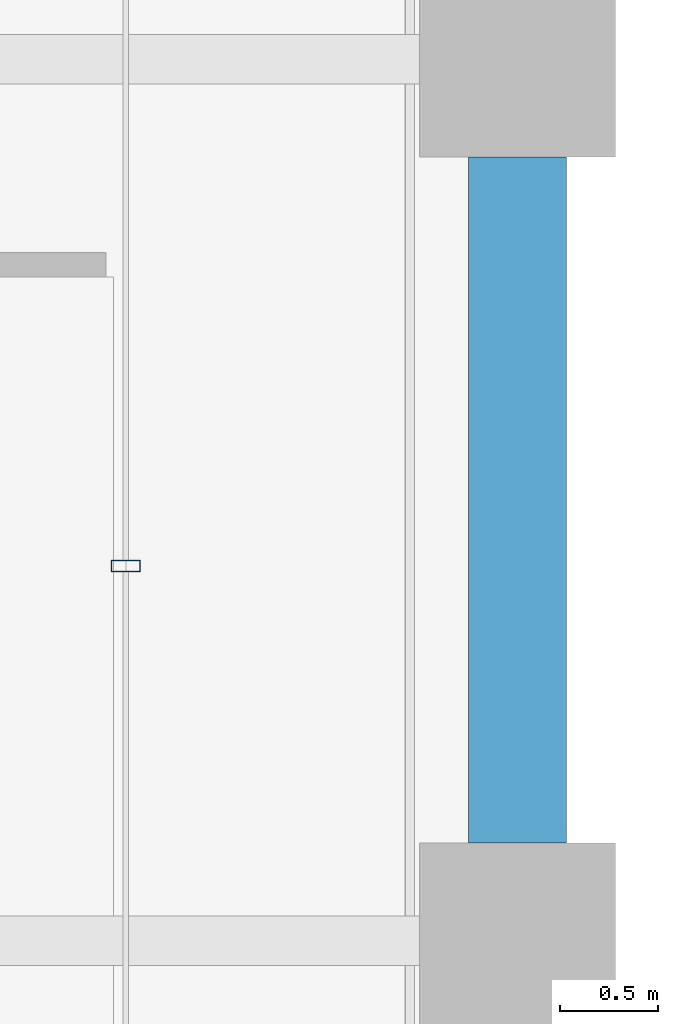
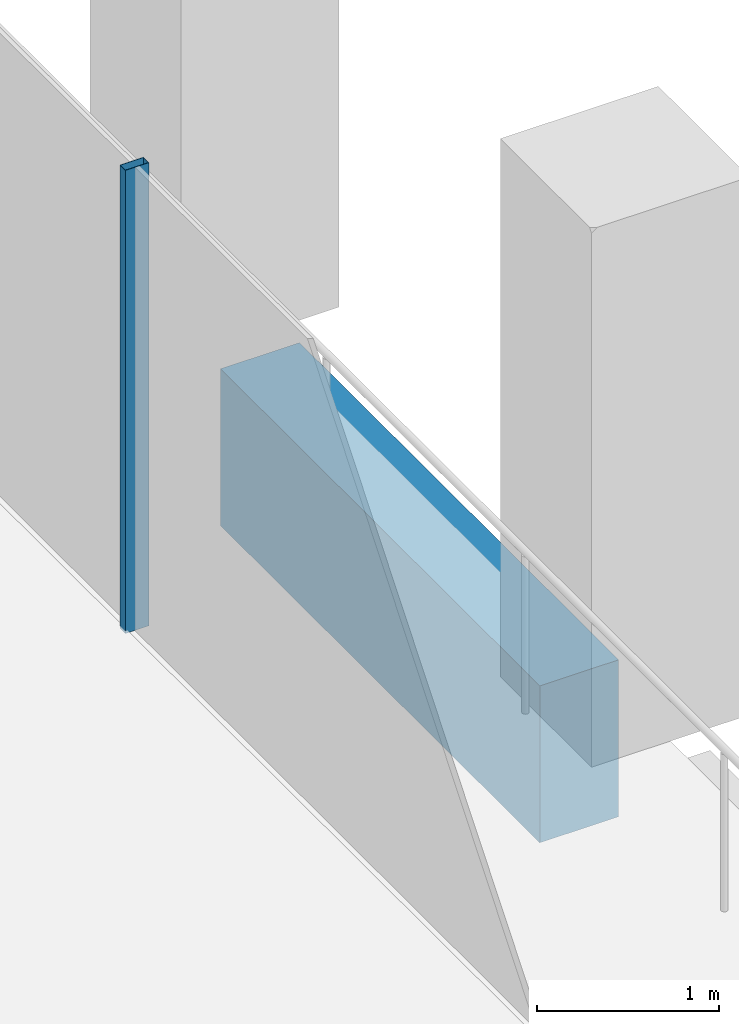
# One storey, part 17 of 46: 1 beam, 1 member, 1 element without a shape of its own.
"""IFC4 building model written with IfcOpenShell, lengths in metres."""

from ifc_helpers import new_model, si_unit, direction, frame, origin, origin_2d, place, context, subcontext, project, spatial, rectangle, hollow_rectangle, extrude, material, material_profile, profile_set, type_object, element, aggregate, save


model = new_model("IFC4")

# Units and contexts
model_context = context("Model", 3, precision=1e-05, world=origin(), true_north=direction((0.0, 1.0)))
body_context = subcontext(model_context, "Body", "Model", "MODEL_VIEW")
ifc_project = project(units=[si_unit("LENGTHUNIT", "METRE"), si_unit("AREAUNIT", "SQUARE_METRE"), si_unit("VOLUMEUNIT", "CUBIC_METRE"), si_unit("PLANEANGLEUNIT", "RADIAN"), si_unit("MASSUNIT", "GRAM", prefix="KILO")], contexts=[model_context])

# Site, building, storey
site_placement = place(None, origin())
site = spatial("IfcSite", under=ifc_project, at=site_placement, CompositionType="ELEMENT")
building_placement = place(site_placement, origin())
building = spatial("IfcBuilding", under=site, at=building_placement, Name="Altepetl Exchange Towers", CompositionType="ELEMENT")
storey_placement = place(building_placement, frame((0.0, 0.0, 102.800048828125)))
storey = spatial("IfcBuildingStorey", under=building, at=storey_placement, Name="L25", CompositionType="ELEMENT", Elevation=102.800048828125)

# Curtain wall, member
ifc_material_1 = material(Name="Aluminium 6063-T6 glazing", Category="aluminium")
curtain_wall_type = type_object("IfcCurtainWallType", Name="Loggia glazing system", PredefinedType="NOTDEFINED", material=ifc_material_1)
curtain_wall_placement = place(storey_placement, origin())
curtain_wall = element("IfcCurtainWall", 1, at=curtain_wall_placement, inside=storey, type_object=curtain_wall_type, Name="CW1 run", PredefinedType="NOTDEFINED")
ifc_material_2 = material(Name="Aluminium 6063-T6", Category="aluminium")
ifc_material_profile_1 = material_profile(ifc_material_2, hollow_rectangle(XDim=0.06005859375, YDim=0.14990234375, WallThickness=0.0029296875, at=origin_2d()), Name="Mullion 60x150 aluminium")
ifc_profile_set_1 = profile_set([ifc_material_profile_1], Name="Aluminium 6063-T6")
member_type = type_object("IfcMemberType", Name="Mullion 60x150 aluminium", PredefinedType="MULLION", material=ifc_profile_set_1)
member_placement = place(storey_placement, frame((70.0, 46.9130859375, 0.0), z_axis=(0.0, 0.0, 1.0), x_axis=(0.0, 1.0, 0.0)))
member = element("IfcMember", 2, at=member_placement, type_object=member_type, Name="MU1 mullion", PredefinedType="MULLION", context=body_context, shape_type="SweptSolid", body=[
    extrude(hollow_rectangle(XDim=0.06005859375, YDim=0.14990234375, WallThickness=0.0029296875, at=origin_2d()), origin(), (0.0, 0.0, 1.0), 3.099853515625),
])
aggregate(curtain_wall, [member])

# Beam
ifc_material_3 = material(Name="Concrete C50/60 precast with cantera amarilla facing", Category="concrete")
ifc_material_profile_2 = material_profile(ifc_material_3, rectangle(XDim=0.5, YDim=1.050048828125, at=origin_2d()), Name="500 x 1050")
ifc_profile_set_2 = profile_set([ifc_material_profile_2], Name="Concrete C50/60 precast with cantera amarilla facing")
beam_type = type_object("IfcBeamType", Name="Spandrel beam 500x1050 cantera amarilla", PredefinedType="SPANDREL", material=ifc_profile_set_2)
beam_placement = place(storey_placement, frame((72.0, 45.5, -0.675048828125), z_axis=(0.0, 1.0, 0.0), x_axis=(-1.0, 0.0, 0.0)))
element("IfcBeam", 3, at=beam_placement, inside=storey, type_object=beam_type, Name="sp:A:L25:015", PredefinedType="SPANDREL", context=body_context, shape_type="SweptSolid", body=[
    extrude(rectangle(XDim=0.5, YDim=1.050048828125, at=origin_2d()), origin(), (0.0, 0.0, 1.0), 3.5),
])

save(model, "model.ifc")
